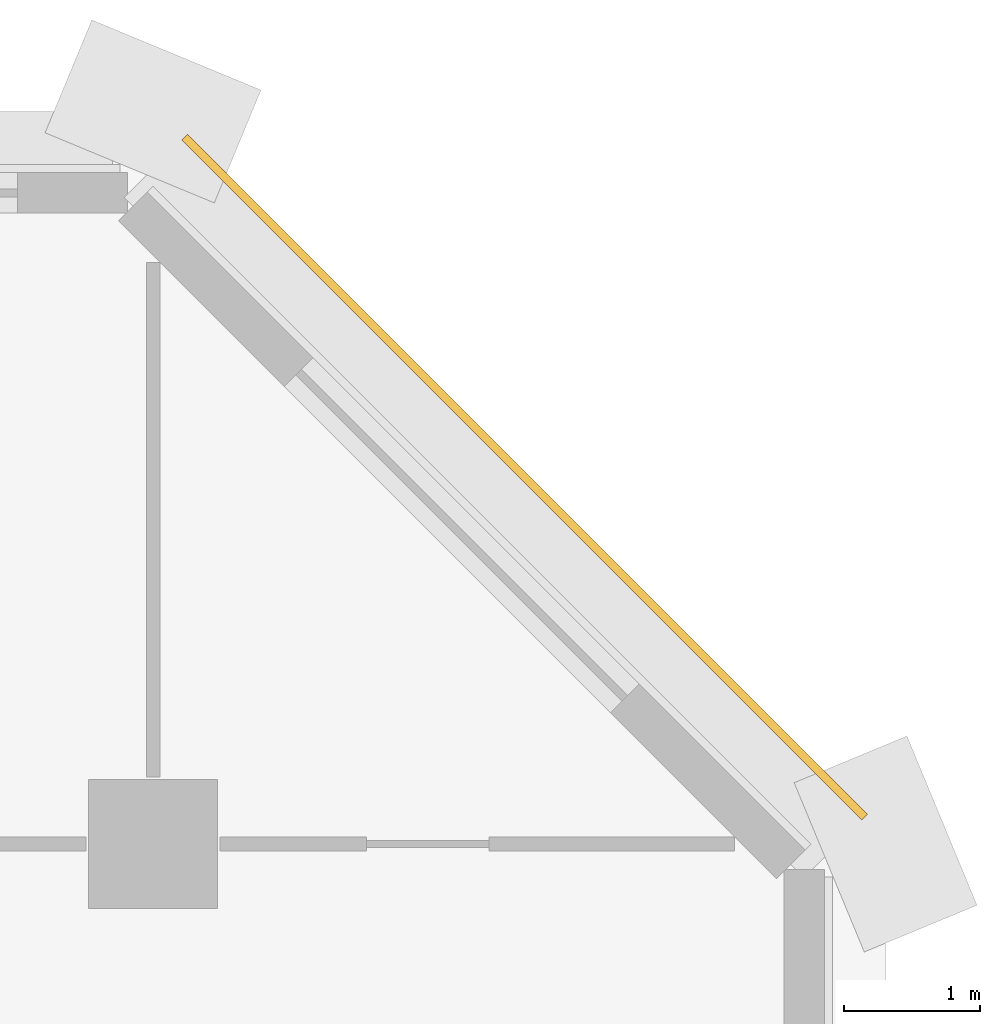
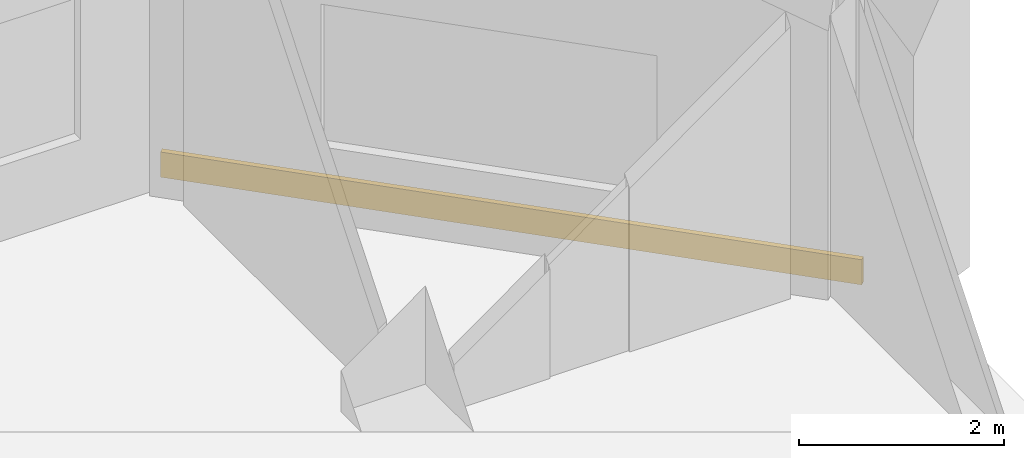
# One storey, part 13 of 13: 1 covering.
"""IFC4 building model written with IfcOpenShell, lengths in metres."""

from ifc_helpers import new_model, si_unit, direction, frame, frame_2d, origin, place, context, subcontext, project, spatial, rectangle, extrude, material, layer, layer_set, type_object, element, save


model = new_model("IFC4")

# Units and contexts
model_context = context("Model", 3, precision=1e-05, world=origin(), true_north=direction((0.0, 1.0)))
body_context = subcontext(model_context, "Body", "Model", "MODEL_VIEW")
ifc_project = project(units=[si_unit("LENGTHUNIT", "METRE"), si_unit("AREAUNIT", "SQUARE_METRE"), si_unit("VOLUMEUNIT", "CUBIC_METRE"), si_unit("PLANEANGLEUNIT", "RADIAN"), si_unit("MASSUNIT", "GRAM", prefix="KILO")], contexts=[model_context])

# Site, building, storey
site_placement = place(None, origin())
site = spatial("IfcSite", under=ifc_project, at=site_placement, CompositionType="ELEMENT")
building_placement = place(site_placement, origin())
building = spatial("IfcBuilding", under=site, at=building_placement, Name="Tabaq Tower and Sports Hall", CompositionType="ELEMENT")
storey_placement = place(building_placement, frame((0.0, 0.0, 103.0)))
storey = spatial("IfcBuildingStorey", under=building, at=storey_placement, Name="L24", CompositionType="ELEMENT", Elevation=103.0)

# Covering
ifc_material = material(Name="Precast concrete C60/75", Category="concrete")
ifc_layer = layer(ifc_material, 0.06005859375)
ifc_layer_set = layer_set([ifc_layer], Name="Edge beam cladding 60")
covering_type = type_object("IfcCoveringType", Name="Edge beam cladding 60", PredefinedType="CLADDING", material=ifc_layer_set)
covering_placement = place(storey_placement, frame((43.04443359375, 43.39794921875, -0.300048828125), z_axis=(0.0, 0.0, 1.0), x_axis=(-0.707106781187, 0.707106781187, 0.0)))
element("IfcCovering", 1, at=covering_placement, inside=storey, type_object=covering_type, Name="Edge beam cladding L24 1", PredefinedType="CLADDING", context=body_context, shape_type="SweptSolid", body=[
    extrude(rectangle(XDim=7.08837890625, YDim=0.06005859375, at=frame_2d((3.544189453125, 0.0))), origin(), (0.0, 0.0, 1.0), 0.300048828125),
])

save(model, "model.ifc")
